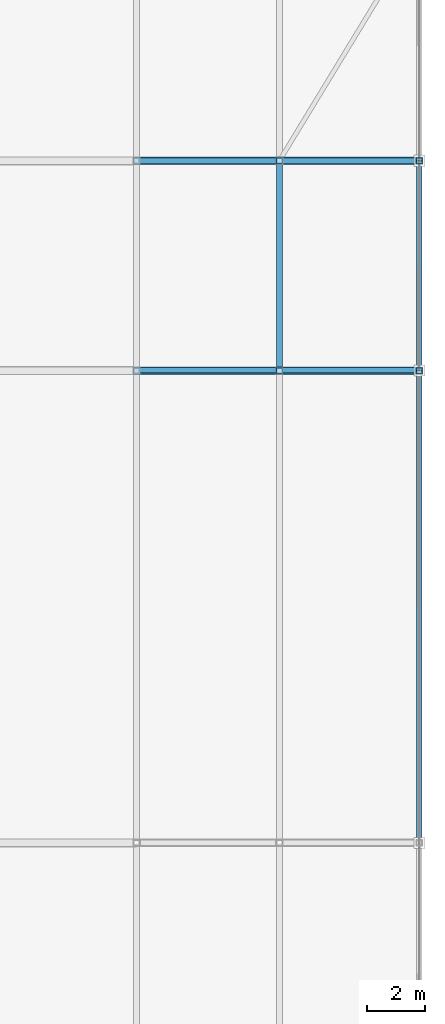
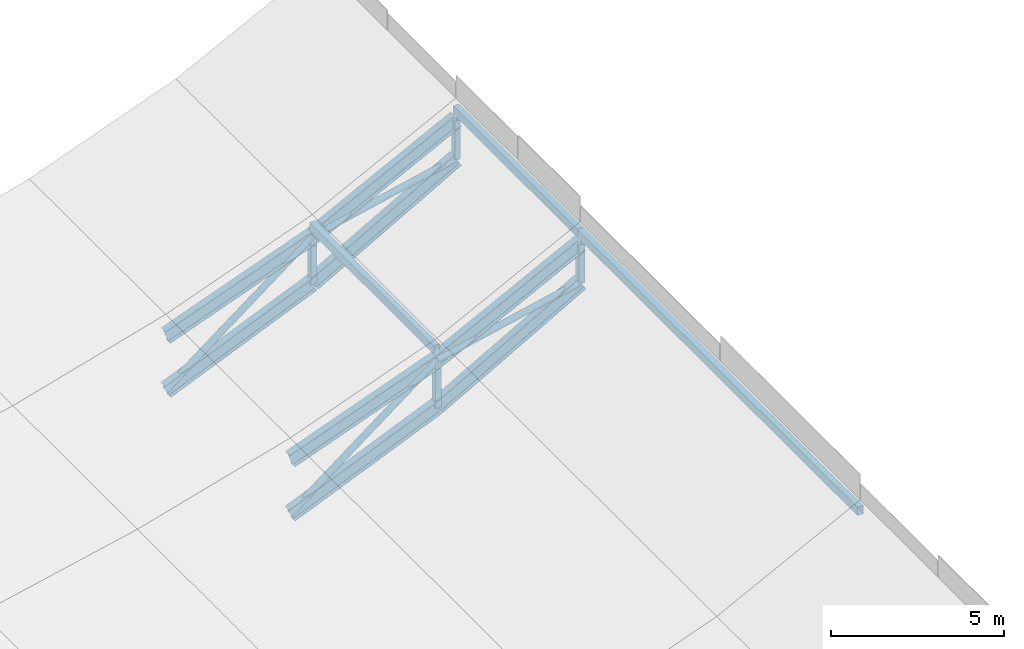
# One storey, part 17 of 24: 11 members, 8 beams.
"""IFC4 building model written with IfcOpenShell, lengths in metres."""

from ifc_helpers import new_model, si_unit, direction, frame, origin, origin_2d, place, context, subcontext, project, spatial, hollow_rectangle, hollow_circle, i_section, extrude, material, material_profile, profile_set, type_object, element, save


model = new_model("IFC4")

# Units and contexts
model_context = context("Model", 3, precision=1e-05, world=origin(), true_north=direction((0.0, 1.0)))
body_context = subcontext(model_context, "Body", "Model", "MODEL_VIEW")
ifc_project = project(units=[si_unit("LENGTHUNIT", "METRE"), si_unit("AREAUNIT", "SQUARE_METRE"), si_unit("VOLUMEUNIT", "CUBIC_METRE"), si_unit("PLANEANGLEUNIT", "RADIAN"), si_unit("MASSUNIT", "GRAM", prefix="KILO"), si_unit("THERMODYNAMICTEMPERATUREUNIT", "KELVIN"), si_unit("POWERUNIT", "WATT")], contexts=[model_context])

# Site, building, storey
site_placement = place(None, origin())
site = spatial("IfcSite", under=ifc_project, at=site_placement, CompositionType="ELEMENT")
building_placement = place(site_placement, origin())
building = spatial("IfcBuilding", under=site, at=building_placement, Name="Sindhuravela Promenade Stadium", CompositionType="ELEMENT")
storey_placement = place(building_placement, frame((0.0, 0.0, 28.800048828125)))
storey = spatial("IfcBuildingStorey", under=building, at=storey_placement, Name="RF", CompositionType="ELEMENT", Elevation=28.800048828125)

# Beams
ifc_material = material(Name="Steel E350 (IS 2062 E350BR)", Category="steel")
ifc_material_profile_1 = material_profile(ifc_material, i_section(OverallWidth=0.25, OverallDepth=0.5, WebThickness=0.010009765625, FlangeThickness=0.0146484375, FilletRadius=0.014892578125, at=origin_2d()), Name="ISWB 500")
ifc_profile_set_1 = profile_set([ifc_material_profile_1], Name="Steel E350 (IS 2062 E350BR)")
beam_type = type_object("IfcBeamType", Name="ST-BM-WB500", PredefinedType="USERDEFINED", material=ifc_profile_set_1)
beam_1_placement = place(storey_placement, frame((46.300048828125, 109.800048828125, 4.24658203125), z_axis=(0.9381490392087664, 0.0, 0.34623168577076896), x_axis=(0.0, 1.0, 0.0)))
element("IfcBeam", 1, at=beam_1_placement, inside=storey, type_object=beam_type, Name="Roof truss RT-W07 top chord 7", ObjectType="ROOF TRUSS", PredefinedType="USERDEFINED", context=body_context, shape_type="SweptSolid", body=[
    extrude(i_section(OverallWidth=0.25, OverallDepth=0.5, WebThickness=0.010009765625, FlangeThickness=0.0146484375, FilletRadius=0.014892578125, at=origin_2d()), origin(), (0.0, 0.0, 1.0), 5.222900390625),
])
beam_2_placement = place(storey_placement, frame((46.300048828125, 109.800048828125, 2.325927734375), z_axis=(0.9202112137061758, 0.0, 0.39142217894417647), x_axis=(0.0, 1.0, 0.0)))
element("IfcBeam", 2, at=beam_2_placement, inside=storey, type_object=beam_type, Name="Roof truss RT-W07 bottom chord 7", ObjectType="ROOF TRUSS", PredefinedType="USERDEFINED", context=body_context, shape_type="SweptSolid", body=[
    extrude(i_section(OverallWidth=0.25, OverallDepth=0.5, WebThickness=0.010009765625, FlangeThickness=0.0146484375, FilletRadius=0.014892578125, at=origin_2d()), origin(), (0.0, 0.0, 1.0), 5.32470703125),
])
beam_3_placement = place(storey_placement, frame((51.199951171875, 109.800048828125, 6.054931640625), z_axis=(0.8914422517070215, 0.0, 0.4531343199003089), x_axis=(0.0, 1.0, 0.0)))
element("IfcBeam", 3, at=beam_3_placement, inside=storey, type_object=beam_type, Name="Roof truss RT-W07 top chord 8", ObjectType="ROOF TRUSS", PredefinedType="USERDEFINED", context=body_context, shape_type="SweptSolid", body=[
    extrude(i_section(OverallWidth=0.25, OverallDepth=0.5, WebThickness=0.010009765625, FlangeThickness=0.0146484375, FilletRadius=0.014892578125, at=origin_2d()), origin(), (0.0, 0.0, 1.0), 5.384521484375),
])
beam_4_placement = place(storey_placement, frame((51.199951171875, 109.800048828125, 4.41015625), z_axis=(0.870823391625607, 0.0, 0.4915959932685322), x_axis=(0.0, 1.0, 0.0)))
element("IfcBeam", 4, at=beam_4_placement, inside=storey, type_object=beam_type, Name="Roof truss RT-W07 bottom chord 8", ObjectType="ROOF TRUSS", PredefinedType="USERDEFINED", context=body_context, shape_type="SweptSolid", body=[
    extrude(i_section(OverallWidth=0.25, OverallDepth=0.5, WebThickness=0.010009765625, FlangeThickness=0.0146484375, FilletRadius=0.014892578125, at=origin_2d()), origin(), (0.0, 0.0, 1.0), 5.511962890625),
])
beam_5_placement = place(storey_placement, frame((46.300048828125, 117.0, 4.24658203125), z_axis=(0.9381490392087664, 0.0, 0.34623168577076896), x_axis=(0.0, 1.0, 0.0)))
element("IfcBeam", 5, at=beam_5_placement, inside=storey, type_object=beam_type, Name="Roof truss RT-W08 top chord 7", ObjectType="ROOF TRUSS", PredefinedType="USERDEFINED", context=body_context, shape_type="SweptSolid", body=[
    extrude(i_section(OverallWidth=0.25, OverallDepth=0.5, WebThickness=0.010009765625, FlangeThickness=0.0146484375, FilletRadius=0.014892578125, at=origin_2d()), origin(), (0.0, 0.0, 1.0), 5.222900390625),
])
beam_6_placement = place(storey_placement, frame((46.300048828125, 117.0, 2.325927734375), z_axis=(0.9202112137061758, 0.0, 0.39142217894417647), x_axis=(0.0, 1.0, 0.0)))
element("IfcBeam", 6, at=beam_6_placement, inside=storey, type_object=beam_type, Name="Roof truss RT-W08 bottom chord 7", ObjectType="ROOF TRUSS", PredefinedType="USERDEFINED", context=body_context, shape_type="SweptSolid", body=[
    extrude(i_section(OverallWidth=0.25, OverallDepth=0.5, WebThickness=0.010009765625, FlangeThickness=0.0146484375, FilletRadius=0.014892578125, at=origin_2d()), origin(), (0.0, 0.0, 1.0), 5.32470703125),
])
beam_7_placement = place(storey_placement, frame((51.199951171875, 117.0, 6.054931640625), z_axis=(0.8914422517070215, 0.0, 0.4531343199003089), x_axis=(0.0, 1.0, 0.0)))
element("IfcBeam", 7, at=beam_7_placement, inside=storey, type_object=beam_type, Name="Roof truss RT-W08 top chord 8", ObjectType="ROOF TRUSS", PredefinedType="USERDEFINED", context=body_context, shape_type="SweptSolid", body=[
    extrude(i_section(OverallWidth=0.25, OverallDepth=0.5, WebThickness=0.010009765625, FlangeThickness=0.0146484375, FilletRadius=0.014892578125, at=origin_2d()), origin(), (0.0, 0.0, 1.0), 5.384521484375),
])
beam_8_placement = place(storey_placement, frame((51.199951171875, 117.0, 4.41015625), z_axis=(0.870823391625607, 0.0, 0.4915959932685322), x_axis=(0.0, 1.0, 0.0)))
element("IfcBeam", 8, at=beam_8_placement, inside=storey, type_object=beam_type, Name="Roof truss RT-W08 bottom chord 8", ObjectType="ROOF TRUSS", PredefinedType="USERDEFINED", context=body_context, shape_type="SweptSolid", body=[
    extrude(i_section(OverallWidth=0.25, OverallDepth=0.5, WebThickness=0.010009765625, FlangeThickness=0.0146484375, FilletRadius=0.014892578125, at=origin_2d()), origin(), (0.0, 0.0, 1.0), 5.511962890625),
])

# Members
ifc_material_profile_2 = material_profile(ifc_material, hollow_circle(Radius=0.109619140625, WallThickness=0.010009765625, at=origin_2d()), Name="CHS 219.1x10")
ifc_profile_set_2 = profile_set([ifc_material_profile_2], Name="Steel E350 (IS 2062 E350BR)")
member_type_1 = type_object("IfcMemberType", Name="ST-MB-CHS219", PredefinedType="BRACE", material=ifc_profile_set_2)
member_1_placement = place(storey_placement, frame((46.300048828125, 109.800048828125, 2.325927734375), z_axis=(0.7957647236205557, 0.0, 0.605605898783277), x_axis=(0.0, 1.0, 0.0)))
element("IfcMember", 9, at=member_1_placement, inside=storey, type_object=member_type_1, Name="Roof truss RT-W07 diagonal web 7", PredefinedType="BRACE", context=body_context, shape_type="SweptSolid", body=[
    extrude(hollow_circle(Radius=0.109619140625, WallThickness=0.010009765625, at=origin_2d()), origin(), (0.0, 0.0, 1.0), 6.157470703125),
])
member_2_placement = place(storey_placement, frame((51.199951171875, 109.800048828125, 6.054931640625), z_axis=(0.9762617763838976, 0.0, 0.21659396106945533), x_axis=(0.0, 1.0, 0.0)))
element("IfcMember", 10, at=member_2_placement, inside=storey, type_object=member_type_1, Name="Roof truss RT-W07 diagonal web 8", PredefinedType="BRACE", context=body_context, shape_type="SweptSolid", body=[
    extrude(hollow_circle(Radius=0.109619140625, WallThickness=0.010009765625, at=origin_2d()), origin(), (0.0, 0.0, 1.0), 4.916748046875),
])
member_3_placement = place(storey_placement, frame((46.300048828125, 117.0, 2.325927734375), z_axis=(0.7957647236205557, 0.0, 0.605605898783277), x_axis=(0.0, 1.0, 0.0)))
element("IfcMember", 11, at=member_3_placement, inside=storey, type_object=member_type_1, Name="Roof truss RT-W08 diagonal web 7", PredefinedType="BRACE", context=body_context, shape_type="SweptSolid", body=[
    extrude(hollow_circle(Radius=0.109619140625, WallThickness=0.010009765625, at=origin_2d()), origin(), (0.0, 0.0, 1.0), 6.157470703125),
])
member_4_placement = place(storey_placement, frame((51.199951171875, 117.0, 6.054931640625), z_axis=(0.9762617763838976, 0.0, 0.21659396106945533), x_axis=(0.0, 1.0, 0.0)))
element("IfcMember", 12, at=member_4_placement, inside=storey, type_object=member_type_1, Name="Roof truss RT-W08 diagonal web 8", PredefinedType="BRACE", context=body_context, shape_type="SweptSolid", body=[
    extrude(hollow_circle(Radius=0.109619140625, WallThickness=0.010009765625, at=origin_2d()), origin(), (0.0, 0.0, 1.0), 4.916748046875),
])
ifc_material_profile_3 = material_profile(ifc_material, hollow_rectangle(XDim=0.199951171875, YDim=0.300048828125, WallThickness=0.010009765625, at=origin_2d()), Name="RHS 300x200x10")
ifc_profile_set_3 = profile_set([ifc_material_profile_3], Name="Steel E350 (IS 2062 E350BR)")
member_type_2 = type_object("IfcMemberType", Name="ST-MB-RHS300", PredefinedType="PURLIN", material=ifc_profile_set_3)
member_5_placement = place(storey_placement, frame((56.0, 93.60009765625, 8.862060546875), z_axis=(0.0, 1.0, 0.0), x_axis=(-1.0, 0.0, 0.0)))
element("IfcMember", 13, at=member_5_placement, inside=storey, type_object=member_type_2, Name="Roof purlin PR02 W bay 6.9", PredefinedType="PURLIN", context=body_context, shape_type="SweptSolid", body=[
    extrude(hollow_rectangle(XDim=0.199951171875, YDim=0.300048828125, WallThickness=0.010009765625, at=origin_2d()), origin(), (0.0, 0.0, 1.0), 16.199951171875),
])
for number, where, z_axis, x_axis, name in (
    (14, (51.199951171875, 109.800048828125, 6.422119140625), (0.0, 1.0, 0.0), (-1.0, 0.0, 0.0), "Roof purlin PR02 W bay 7.8"),
    (15, (56.0, 109.800048828125, 8.862060546875), (0.0, 1.0, 0.0), (-1.0, 0.0, 0.0), "Roof purlin PR02 W bay 7.9"),
):
    element("IfcMember", number, at=place(storey_placement, frame(where, z_axis=z_axis, x_axis=x_axis)), inside=storey, type_object=member_type_2, Name=name, PredefinedType="PURLIN", context=body_context, shape_type="SweptSolid", body=[
        extrude(hollow_rectangle(XDim=0.199951171875, YDim=0.300048828125, WallThickness=0.010009765625, at=origin_2d()), origin(), (0.0, 0.0, 1.0), 7.199951171875),
    ])
ifc_material_profile_4 = material_profile(ifc_material, hollow_rectangle(XDim=0.199951171875, YDim=0.199951171875, WallThickness=0.010009765625, at=origin_2d()), Name="SHS 200x200x10")
ifc_profile_set_4 = profile_set([ifc_material_profile_4], Name="Steel E350 (IS 2062 E350BR)")
member_type_3 = type_object("IfcMemberType", Name="ST-MB-SHS200", PredefinedType="POST", material=ifc_profile_set_4)
member_6_placement = place(storey_placement, frame((51.199951171875, 109.800048828125, 4.41015625), z_axis=(0.0, 0.0, 1.0), x_axis=(1.0, 0.0, 0.0)))
element("IfcMember", 16, at=member_6_placement, inside=storey, type_object=member_type_3, Name="Roof truss RT-W07 vertical post 8", PredefinedType="POST", context=body_context, shape_type="SweptSolid", body=[
    extrude(hollow_rectangle(XDim=0.199951171875, YDim=0.199951171875, WallThickness=0.010009765625, at=origin_2d()), origin(), (0.0, 0.0, 1.0), 1.644775390625),
])
member_7_placement = place(storey_placement, frame((56.0, 109.800048828125, 7.119873046875), z_axis=(0.0, 0.0, 1.0), x_axis=(1.0, 0.0, 0.0)))
element("IfcMember", 17, at=member_7_placement, inside=storey, type_object=member_type_3, Name="Roof truss RT-W07 vertical post 9", PredefinedType="POST", context=body_context, shape_type="SweptSolid", body=[
    extrude(hollow_rectangle(XDim=0.199951171875, YDim=0.199951171875, WallThickness=0.010009765625, at=origin_2d()), origin(), (0.0, 0.0, 1.0), 1.375),
])
member_8_placement = place(storey_placement, frame((51.199951171875, 117.0, 4.41015625), z_axis=(0.0, 0.0, 1.0), x_axis=(1.0, 0.0, 0.0)))
element("IfcMember", 18, at=member_8_placement, inside=storey, type_object=member_type_3, Name="Roof truss RT-W08 vertical post 8", PredefinedType="POST", context=body_context, shape_type="SweptSolid", body=[
    extrude(hollow_rectangle(XDim=0.199951171875, YDim=0.199951171875, WallThickness=0.010009765625, at=origin_2d()), origin(), (0.0, 0.0, 1.0), 1.644775390625),
])
member_9_placement = place(storey_placement, frame((56.0, 117.0, 7.119873046875), z_axis=(0.0, 0.0, 1.0), x_axis=(1.0, 0.0, 0.0)))
element("IfcMember", 19, at=member_9_placement, inside=storey, type_object=member_type_3, Name="Roof truss RT-W08 vertical post 9", PredefinedType="POST", context=body_context, shape_type="SweptSolid", body=[
    extrude(hollow_rectangle(XDim=0.199951171875, YDim=0.199951171875, WallThickness=0.010009765625, at=origin_2d()), origin(), (0.0, 0.0, 1.0), 1.375),
])

save(model, "model.ifc")
